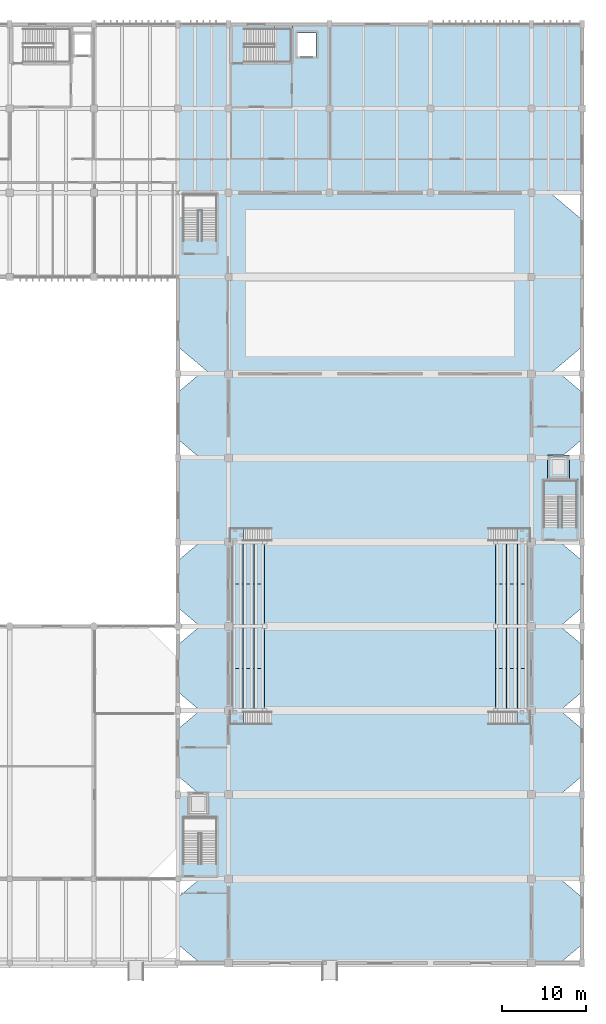
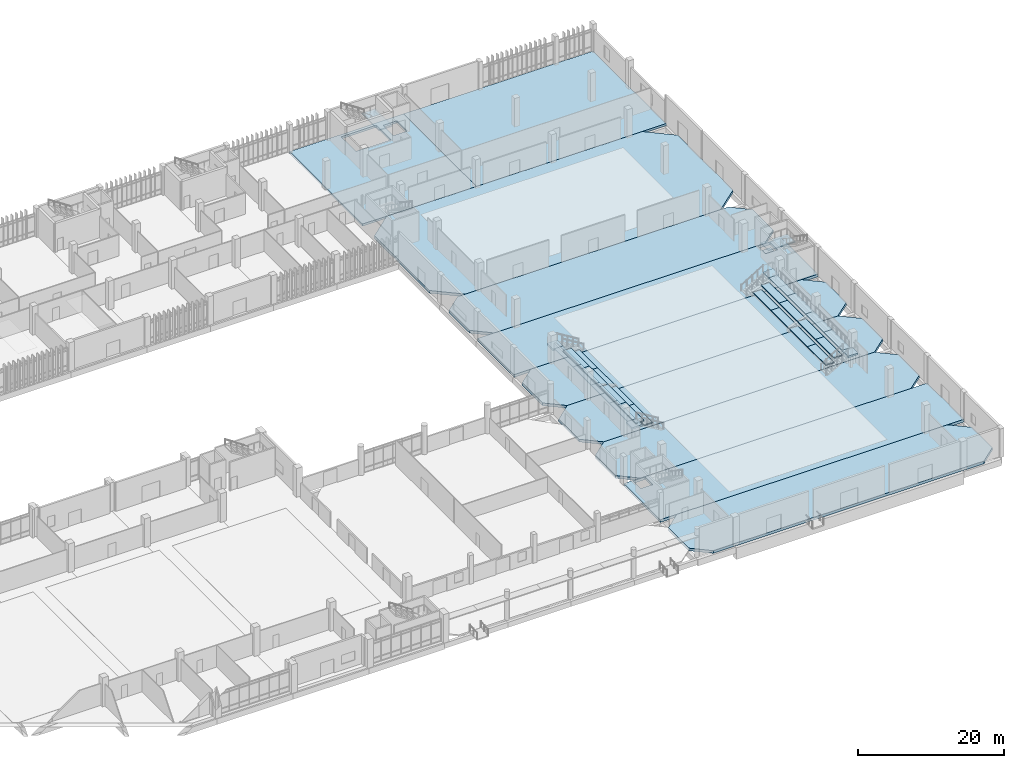
# One storey, part 67 of 87: 41 slabs, 6 elements without a shape of their own.
"""IFC4 building model written with IfcOpenShell, lengths in metres."""

import ifcopenshell
import ifcopenshell.guid

model = None  # the IFC model being written
_history = None  # IfcOwnerHistory: only IFC2X3 demands one
_inside = {}  # id of a spatial element -> (the spatial element, [elements in it])
_under = {}  # id of a project, library or spatial element -> (it, [spatial elements below it])
_declared = {}  # id of a project -> (the project, [libraries it declares])
_typed = {}  # id of a type object -> (the type object, [elements of that type])
_made_of = {}  # id of a material, layer set ... -> (it, [elements and type objects made of it])


def new_model(schema):
    """Start an empty IFC model of exactly this schema.

    Asked for "IFC4X3", IfcOpenShell would pick the latest addendum, in which some entities
    have other attributes; the version numbers below select the first issue.
    IFC2X3 requires an IfcOwnerHistory on every rooted entity: one is made here for all.
    """
    global model, _history
    if schema == "IFC4X3":
        model = ifcopenshell.file(schema_version=(4, 3, 0, 0))
    else:
        model = ifcopenshell.file(schema=schema)
    _inside.clear()
    _under.clear()
    _declared.clear()
    _typed.clear()
    _made_of.clear()
    _history = None
    if model.schema == "IFC2X3":
        org = make("IfcOrganization", Name="unknown")
        user = make(
            "IfcPersonAndOrganization",
            ThePerson=make("IfcPerson", FamilyName="unknown"),
            TheOrganization=org,
        )
        app = make(
            "IfcApplication",
            ApplicationDeveloper=org,
            Version="unknown",
            ApplicationFullName="unknown",
            ApplicationIdentifier="unknown",
        )
        _history = make(
            "IfcOwnerHistory",
            OwningUser=user,
            OwningApplication=app,
            ChangeAction="ADDED",
            CreationDate=0,
        )
    return model


def make(cls, **values):
    """One entity of the class cls with the attributes given. An attribute that is None is left unset."""
    return model.create_entity(
        cls, **{name: value for name, value in values.items() if value is not None}
    )


def rooted(cls, **values):
    """An entity with a GlobalId (a new one), such as an element, a storey or a relation."""
    return make(cls, GlobalId=ifcopenshell.guid.new(), OwnerHistory=_history, **values)


def si_unit(unit_type, name, prefix=None):
    """IfcSIUnit, for example si_unit("LENGTHUNIT", "METRE", prefix="MILLI")."""
    return make("IfcSIUnit", UnitType=unit_type, Prefix=prefix, Name=name)


def assignment(units):
    """IfcUnitAssignment: the units of a project."""
    return None if units is None else make("IfcUnitAssignment", Units=units)


def point(xyz):
    """IfcCartesianPoint."""
    return None if xyz is None else make("IfcCartesianPoint", Coordinates=xyz)


def direction(xyz):
    """IfcDirection."""
    return None if xyz is None else make("IfcDirection", DirectionRatios=xyz)


def frame(location, z_axis=None, x_axis=None):
    """IfcAxis2Placement3D, a coordinate frame: its origin and axes. An axis left out is left unset."""
    return make(
        "IfcAxis2Placement3D",
        Location=point(location),
        Axis=direction(z_axis),
        RefDirection=direction(x_axis),
    )


def origin():
    """The frame at (0, 0, 0) with its axes left unset."""
    return frame((0.0, 0.0, 0.0))


def place(relative_to, where):
    """IfcLocalPlacement: puts the frame where relative to a parent placement (None: the world)."""
    return make(
        "IfcLocalPlacement", PlacementRelTo=relative_to, RelativePlacement=where
    )


def context(
    kind, dimensions, precision=None, world=None, true_north=None, identifier=None
):
    """IfcGeometricRepresentationContext, for example the 3D "Model" context."""
    return make(
        "IfcGeometricRepresentationContext",
        ContextIdentifier=identifier,
        ContextType=kind,
        CoordinateSpaceDimension=dimensions,
        Precision=precision,
        WorldCoordinateSystem=world,
        TrueNorth=true_north,
    )


def subcontext(parent, identifier, kind, view, scale=None):
    """IfcGeometricRepresentationSubContext, for example "Body" below "Model"."""
    return make(
        "IfcGeometricRepresentationSubContext",
        ContextIdentifier=identifier,
        ContextType=kind,
        ParentContext=parent,
        TargetScale=scale,
        TargetView=view,
    )


def project(units=None, contexts=None):
    """IfcProject with its units and contexts."""
    return rooted(
        "IfcProject",
        Name="project",
        RepresentationContexts=contexts,
        UnitsInContext=assignment(units),
    )


def spatial(cls, under=None, at=None, **own):
    """A site, building, storey or space (cls), placed at a placement, below another one or the project."""
    s = rooted(cls, ObjectPlacement=at, **own)
    if under is not None:
        _under.setdefault(under.id(), (under, []))[1].append(s)
    return s


def polyline(points):
    """IfcPolyline through the points."""
    return make("IfcPolyline", Points=[point(p) for p in points])


def outline(outer, holes=None, kind="AREA"):
    """IfcArbitraryClosedProfileDef: a profile drawn as a closed curve; with holes, ...WithVoids."""
    if holes is None:
        return make("IfcArbitraryClosedProfileDef", ProfileType=kind, OuterCurve=outer)
    return make(
        "IfcArbitraryProfileDefWithVoids",
        ProfileType=kind,
        OuterCurve=outer,
        InnerCurves=holes,
    )


def extrude(swept, where, along, depth):
    """IfcExtrudedAreaSolid: the profile swept, set in the frame where, extruded along a direction by depth."""
    return make(
        "IfcExtrudedAreaSolid",
        SweptArea=swept,
        Position=where,
        ExtrudedDirection=direction(along),
        Depth=depth,
    )


def shape(context_of_items, identifier, shape_type, items):
    """IfcShapeRepresentation: the items that make up one representation, for example the "Body"."""
    return make(
        "IfcShapeRepresentation",
        ContextOfItems=context_of_items,
        RepresentationIdentifier=identifier,
        RepresentationType=shape_type,
        Items=items,
    )


def material(Name=None, Category=None):
    """IfcMaterial."""
    return make("IfcMaterial", Name=Name, Category=Category)


def layer(
    of_material, thickness, ventilated=None, Name=None, Category=None, Priority=None
):
    """IfcMaterialLayer: one layer of a wall or slab, of a material (None: an air gap)."""
    return make(
        "IfcMaterialLayer",
        Material=of_material,
        LayerThickness=thickness,
        IsVentilated=ventilated,
        Name=Name,
        Category=Category,
        Priority=Priority,
    )


def layer_set(layers, Name=None):
    """IfcMaterialLayerSet."""
    return make("IfcMaterialLayerSet", MaterialLayers=layers, LayerSetName=Name)


def made_of(thing, what):
    """Note that an element or type object is made of a material, layer set ...; save() writes the relation."""
    if what is not None:
        _made_of.setdefault(what.id(), (what, []))[1].append(thing)
    return thing


def type_object(cls, material=None, **own):
    """A type object (cls), such as IfcWallType, which elements share."""
    return made_of(rooted(cls, **own), material)


def element(
    cls,
    number,
    at=None,
    inside=None,
    cuts=None,
    type_object=None,
    material=None,
    context=None,
    identifier="Body",
    shape_type=None,
    held_by="IfcProductDefinitionShape",
    body=None,
    shapes=None,
    **own,
):
    """One element of the class cls, such as IfcWall. Its Tag is "e" and its number.

    at: its placement. inside: the storey or other place that contains it. cuts: it is an
    opening in that element (IfcRelVoidsElement). A single representation is given by context,
    identifier, shape_type and body (its items); several are given by shapes. held_by: the class
    of the entity that holds the representations. save() writes the other relations.
    """
    e = rooted(cls, Tag="e%d" % number, ObjectPlacement=at, **own)
    if body is not None:
        shapes = [shape(context, identifier, shape_type, body)]
    if shapes is not None:
        e.Representation = make(held_by, Representations=shapes)
    if inside is not None:
        _inside.setdefault(inside.id(), (inside, []))[1].append(e)
    if cuts is not None:
        rooted(
            "IfcRelVoidsElement", RelatingBuildingElement=cuts, RelatedOpeningElement=e
        )
    if type_object is not None:
        _typed.setdefault(type_object.id(), (type_object, []))[1].append(e)
    return made_of(e, material)


def aggregate(whole, parts):
    """IfcRelAggregates: a whole, such as a stair, and the parts it consists of."""
    return rooted("IfcRelAggregates", RelatingObject=whole, RelatedObjects=parts)


def save(model, path):
    """Write the relations noted so far, then the file.

    IfcRelAggregates (storeys below a building ...), IfcRelContainedInSpatialStructure (elements
    in a storey), IfcRelDefinesByType, IfcRelAssociatesMaterial and IfcRelDeclares: one each for
    every whole, place, type object, material and project.
    """
    for whole, parts in _under.values():
        aggregate(whole, parts)
    for where, things in _inside.values():
        rooted(
            "IfcRelContainedInSpatialStructure",
            RelatedElements=things,
            RelatingStructure=where,
        )
    for kind, things in _typed.values():
        rooted("IfcRelDefinesByType", RelatedObjects=things, RelatingType=kind)
    for what, things in _made_of.values():
        rooted("IfcRelAssociatesMaterial", RelatedObjects=things, RelatingMaterial=what)
    for by, libraries in _declared.values():
        rooted("IfcRelDeclares", RelatingContext=by, RelatedDefinitions=libraries)
    model.write(path)


model = new_model("IFC4")

# Units and contexts
model_context = context("Model", 3, precision=1e-05, world=origin(), true_north=direction((0.0, 1.0)))
body_context = subcontext(model_context, "Body", "Model", "MODEL_VIEW")
ifc_project = project(units=[si_unit("LENGTHUNIT", "METRE"), si_unit("AREAUNIT", "SQUARE_METRE"), si_unit("VOLUMEUNIT", "CUBIC_METRE"), si_unit("PLANEANGLEUNIT", "RADIAN"), si_unit("MASSUNIT", "GRAM", prefix="KILO")], contexts=[model_context])

# Site, building, storey
site_placement = place(None, origin())
site = spatial("IfcSite", under=ifc_project, at=site_placement, CompositionType="ELEMENT")
building_placement = place(site_placement, origin())
building = spatial("IfcBuilding", under=site, at=building_placement, Name="Mersad Railyard Sports Hall", CompositionType="ELEMENT")
storey_placement = place(building_placement, origin())
storey = spatial("IfcBuildingStorey", under=building, at=storey_placement, Name="L00", CompositionType="ELEMENT", Elevation=0.0)

# Slabs
ifc_material_1 = material(Name="Concrete C40/50", Category="concrete")
ifc_layer_1 = layer(ifc_material_1, 0.449951171875)
ifc_layer_set_1 = layer_set([ifc_layer_1], Name="Concrete C40/50")
slab_type_1 = type_object("IfcSlabType", Name="STR-SL-BS02", PredefinedType="BASESLAB", material=ifc_layer_set_1)
slab_1_placement = place(storey_placement, frame((0.0, 0.0, -0.449951171875)))
element("IfcSlab", 1, at=slab_1_placement, inside=storey, type_object=slab_type_1, Name="Slab BS02-0019", PredefinedType="BASESLAB", context=body_context, shape_type="SweptSolid", body=[
    extrude(outline(polyline([(133.60009765625, 3.5), (176.39990234375, 3.5), (179.0, 5.699951171875), (179.0, 11.300048828125), (176.39990234375, 13.5), (133.60009765625, 13.5), (131.0, 11.300048828125), (131.0, 5.699951171875), (133.60009765625, 3.5)])), origin(), (0.0, 0.0, 1.0), 0.449951171875),
])
slab_2_placement = place(storey_placement, frame((0.0, 0.0, -0.449951171875)))
element("IfcSlab", 2, at=slab_2_placement, inside=storey, type_object=slab_type_1, Name="Slab BS02-0020", PredefinedType="BASESLAB", context=body_context, shape_type="SweptSolid", body=[
    extrude(outline(polyline([(131.0, 13.5), (179.0, 13.5), (179.0, 23.5), (131.0, 23.5), (131.0, 13.5)]), holes=[polyline([(132.449951171875, 21.300048828125), (134.35009765625, 21.300048828125), (134.35009765625, 23.419921875), (132.449951171875, 23.419921875), (132.449951171875, 21.300048828125)])]), origin(), (0.0, 0.0, 1.0), 0.449951171875),
])
slab_3_placement = place(storey_placement, frame((0.0, 0.0, -0.449951171875)))
element("IfcSlab", 3, at=slab_3_placement, inside=storey, type_object=slab_type_1, Name="Slab BS02-0021", PredefinedType="BASESLAB", context=body_context, shape_type="SweptSolid", body=[
    extrude(outline(polyline([(133.60009765625, 23.5), (176.39990234375, 23.5), (179.0, 25.699951171875), (179.0, 31.300048828125), (176.39990234375, 33.5), (133.60009765625, 33.5), (131.0, 31.300048828125), (131.0, 25.699951171875), (133.60009765625, 23.5)])), origin(), (0.0, 0.0, 1.0), 0.449951171875),
])
slab_4_placement = place(storey_placement, frame((0.0, 0.0, -0.449951171875)))
element("IfcSlab", 4, at=slab_4_placement, inside=storey, type_object=slab_type_1, Name="Slab BS02-0022", PredefinedType="BASESLAB", context=body_context, shape_type="SweptSolid", body=[
    extrude(outline(polyline([(133.60009765625, 33.5), (176.39990234375, 33.5), (179.0, 35.699951171875), (179.0, 41.300048828125), (176.39990234375, 43.5), (133.60009765625, 43.5), (131.0, 41.300048828125), (131.0, 35.699951171875), (133.60009765625, 33.5)])), origin(), (0.0, 0.0, 1.0), 0.449951171875),
])
slab_5_placement = place(storey_placement, frame((0.0, 0.0, -0.449951171875)))
element("IfcSlab", 5, at=slab_5_placement, inside=storey, type_object=slab_type_1, Name="Slab BS02-0023", PredefinedType="BASESLAB", context=body_context, shape_type="SweptSolid", body=[
    extrude(outline(polyline([(133.60009765625, 43.5), (176.39990234375, 43.5), (179.0, 45.699951171875), (179.0, 51.300048828125), (176.39990234375, 53.5), (133.60009765625, 53.5), (131.0, 51.300048828125), (131.0, 45.699951171875), (133.60009765625, 43.5)])), origin(), (0.0, 0.0, 1.0), 0.449951171875),
])
slab_6_placement = place(storey_placement, frame((0.0, 0.0, -0.449951171875)))
element("IfcSlab", 6, at=slab_6_placement, inside=storey, type_object=slab_type_1, Name="Slab BS02-0024", PredefinedType="BASESLAB", context=body_context, shape_type="SweptSolid", body=[
    extrude(outline(polyline([(131.0, 53.5), (179.0, 53.5), (179.0, 63.5), (131.0, 63.5), (131.0, 53.5)]), holes=[polyline([(175.25, 61.300048828125), (177.14990234375, 61.300048828125), (177.14990234375, 63.419921875), (175.25, 63.419921875), (175.25, 61.300048828125)])]), origin(), (0.0, 0.0, 1.0), 0.449951171875),
])
slab_7_placement = place(storey_placement, frame((0.0, 0.0, -0.449951171875)))
element("IfcSlab", 7, at=slab_7_placement, inside=storey, type_object=slab_type_1, Name="Slab BS02-0025", PredefinedType="BASESLAB", context=body_context, shape_type="SweptSolid", body=[
    extrude(outline(polyline([(133.60009765625, 63.5), (176.39990234375, 63.5), (179.0, 65.699951171875), (179.0, 71.300048828125), (176.39990234375, 73.5), (133.60009765625, 73.5), (131.0, 71.300048828125), (131.0, 65.699951171875), (133.60009765625, 63.5)])), origin(), (0.0, 0.0, 1.0), 0.449951171875),
])
slab_8_placement = place(storey_placement, frame((0.0, 0.0, -0.449951171875)))
element("IfcSlab", 8, at=slab_8_placement, inside=storey, type_object=slab_type_1, Name="Slab BS02-0026", PredefinedType="BASESLAB", context=body_context, shape_type="SweptSolid", body=[
    extrude(outline(polyline([(134.800048828125, 73.5), (175.199951171875, 73.5), (179.0, 76.699951171875), (179.0, 91.800048828125), (175.199951171875, 95.0), (134.800048828125, 95.0), (131.0, 91.800048828125), (131.0, 76.699951171875), (134.800048828125, 73.5)])), origin(), (0.0, 0.0, 1.0), 0.449951171875),
])
slab_9_placement = place(storey_placement, frame((0.0, 0.0, -1.75)))
element("IfcSlab", 9, at=slab_9_placement, inside=storey, type_object=slab_type_1, Name="Lift PL-06 shaft pit base", PredefinedType="BASESLAB", context=body_context, shape_type="SweptSolid", body=[
    extrude(outline(polyline([(174.875, 60.949951171875), (177.52490234375, 60.949951171875), (177.52490234375, 63.85009765625), (174.875, 63.85009765625), (174.875, 60.949951171875)])), origin(), (0.0, 0.0, 1.0), 0.449951171875),
])
ifc_material_2 = material(Name="Concrete C50/60", Category="concrete")
ifc_layer_2 = layer(ifc_material_2, 0.35009765625)
ifc_layer_set_2 = layer_set([ifc_layer_2], Name="Concrete C50/60")
slab_type_2 = type_object("IfcSlabType", Name="STR-SL-FL05", PredefinedType="FLOOR", material=ifc_layer_set_2)
slab_10_placement = place(storey_placement, frame((0.0, 0.0, -0.35009765625)))
element("IfcSlab", 10, at=slab_10_placement, inside=storey, type_object=slab_type_2, Name="Slab SL05-0035", PredefinedType="FLOOR", context=body_context, shape_type="SweptSolid", body=[
    extrude(outline(polyline([(131.0, 95.0), (149.0, 95.0), (149.0, 115.0), (131.0, 115.0), (131.0, 95.0)]), holes=[polyline([(138.889892578125, 110.5), (144.449951171875, 110.5), (144.449951171875, 114.5), (138.889892578125, 114.5), (138.889892578125, 110.5)]), polyline([(145.199951171875, 111.199951171875), (147.39990234375, 111.199951171875), (147.39990234375, 114.0), (145.199951171875, 114.0), (145.199951171875, 111.199951171875)])]), origin(), (0.0, 0.0, 1.0), 0.35009765625),
])
slab_11_placement = place(storey_placement, frame((0.0, 0.0, -0.35009765625)))
element("IfcSlab", 11, at=slab_11_placement, inside=storey, type_object=slab_type_2, Name="Slab SL05-0036", PredefinedType="FLOOR", context=body_context, shape_type="SweptSolid", body=[
    extrude(outline(polyline([(149.0, 95.0), (179.0, 95.0), (179.0, 115.0), (149.0, 115.0), (149.0, 95.0)])), origin(), (0.0, 0.0, 1.0), 0.35009765625),
])

# Stair, slab
stair_type_1 = type_object("IfcStairType", Name="ARC-ST-ST10A", PredefinedType="HALF_TURN_STAIR", material=ifc_material_1)
stair_1_placement = place(storey_placement, origin())
stair_1 = element("IfcStair", 12, at=stair_1_placement, inside=storey, type_object=stair_type_1, Name="Show Court East Exit Stair L00-L01", PredefinedType="HALF_TURN_STAIR")
ifc_layer_3 = layer(ifc_material_1, 0.179931640625)
ifc_layer_set_3 = layer_set([ifc_layer_3], Name="Concrete C40/50")
slab_type_3 = type_object("IfcSlabType", Name="STR-SL-LD01", PredefinedType="LANDING", material=ifc_layer_set_3)
slab_12_placement = place(storey_placement, frame((0.0, 0.0, 2.219970703125)))
slab_12 = element("IfcSlab", 13, at=slab_12_placement, type_object=slab_type_3, Name="Show Court East Exit Stair L00-L01 Half Landing", PredefinedType="LANDING", context=body_context, shape_type="SweptSolid", body=[
    extrude(outline(polyline([(174.280029296875, 58.830078125), (178.52001953125, 58.830078125), (178.52001953125, 60.969970703125), (174.280029296875, 60.969970703125), (174.280029296875, 58.830078125)])), origin(), (0.0, 0.0, 1.0), 0.179931640625),
])
aggregate(stair_1, [slab_12])

stair_type_2 = type_object("IfcStairType", Name="ARC-ST-ST04B", PredefinedType="HALF_TURN_STAIR", material=ifc_material_1)
stair_2_placement = place(storey_placement, origin())
stair_2 = element("IfcStair", 14, at=stair_2_placement, inside=storey, type_object=stair_type_2, Name="Core C4 Exit Stair L00-L01", PredefinedType="HALF_TURN_STAIR")
ifc_material_3 = material(Name="Precast concrete C45/55", Category="concrete")
ifc_layer_4 = layer(ifc_material_3, 0.199951171875)
ifc_layer_set_4 = layer_set([ifc_layer_4], Name="Precast concrete C45/55")
slab_type_4 = type_object("IfcSlabType", Name="STR-SL-LD02", PredefinedType="LANDING", material=ifc_layer_set_4)
slab_13_placement = place(storey_placement, frame((0.0, 0.0, 2.219970703125)))
slab_13 = element("IfcSlab", 15, at=slab_13_placement, type_object=slab_type_4, Name="Core C4 Exit Stair L00-L01 Half Landing", PredefinedType="LANDING", context=body_context, shape_type="SweptSolid", body=[
    extrude(outline(polyline([(142.429931640625, 110.3798828125), (144.570068359375, 110.3798828125), (144.570068359375, 115.050048828125), (142.429931640625, 115.050048828125), (142.429931640625, 110.3798828125)])), origin(), (0.0, 0.0, 1.0), 0.179931640625),
])
aggregate(stair_2, [slab_13])

stair_type_3 = type_object("IfcStairType", Name="ARC-ST-STV1", PredefinedType="STRAIGHT_RUN_STAIR", material=ifc_material_3)
stair_3_placement = place(storey_placement, origin())
stair_3 = element("IfcStair", 16, at=stair_3_placement, inside=storey, type_object=stair_type_3, Name="Show Court Vomitory Stair West South", PredefinedType="STRAIGHT_RUN_STAIR")
slab_14_placement = place(storey_placement, frame((0.0, 0.0, 1.800048828125)))
slab_14 = element("IfcSlab", 17, at=slab_14_placement, type_object=slab_type_4, Name="Show Court Vomitory Stair West South Vomitory Platform", PredefinedType="LANDING", context=body_context, shape_type="SweptSolid", body=[
    extrude(outline(polyline([(137.139892578125, 31.85009765625), (138.75, 31.85009765625), (138.75, 33.5), (137.139892578125, 33.5), (137.139892578125, 31.85009765625)])), origin(), (0.0, 0.0, 1.0), 0.300048828125),
])
aggregate(stair_3, [slab_14])

stair_type_4 = type_object("IfcStairType", Name="ARC-ST-STV2", PredefinedType="STRAIGHT_RUN_STAIR", material=ifc_material_3)
stair_4_placement = place(storey_placement, origin())
stair_4 = element("IfcStair", 18, at=stair_4_placement, inside=storey, type_object=stair_type_4, Name="Show Court Vomitory Stair West North", PredefinedType="STRAIGHT_RUN_STAIR")
slab_15_placement = place(storey_placement, frame((0.0, 0.0, 1.800048828125)))
slab_15 = element("IfcSlab", 19, at=slab_15_placement, type_object=slab_type_4, Name="Show Court Vomitory Stair West North Vomitory Platform", PredefinedType="LANDING", context=body_context, shape_type="SweptSolid", body=[
    extrude(outline(polyline([(137.139892578125, 53.5), (138.75, 53.5), (138.75, 55.14990234375), (137.139892578125, 55.14990234375), (137.139892578125, 53.5)])), origin(), (0.0, 0.0, 1.0), 0.300048828125),
])
aggregate(stair_4, [slab_15])

stair_type_5 = type_object("IfcStairType", Name="ARC-ST-STV3", PredefinedType="STRAIGHT_RUN_STAIR", material=ifc_material_3)
stair_5_placement = place(storey_placement, origin())
stair_5 = element("IfcStair", 20, at=stair_5_placement, inside=storey, type_object=stair_type_5, Name="Show Court Vomitory Stair East South", PredefinedType="STRAIGHT_RUN_STAIR")
slab_16_placement = place(storey_placement, frame((0.0, 0.0, 1.800048828125)))
slab_16 = element("IfcSlab", 21, at=slab_16_placement, type_object=slab_type_4, Name="Show Court Vomitory Stair East South Vomitory Platform", PredefinedType="LANDING", context=body_context, shape_type="SweptSolid", body=[
    extrude(outline(polyline([(171.25, 31.85009765625), (172.860107421875, 31.85009765625), (172.860107421875, 33.5), (171.25, 33.5), (171.25, 31.85009765625)])), origin(), (0.0, 0.0, 1.0), 0.300048828125),
])
aggregate(stair_5, [slab_16])

stair_type_6 = type_object("IfcStairType", Name="ARC-ST-STV4", PredefinedType="STRAIGHT_RUN_STAIR", material=ifc_material_3)
stair_6_placement = place(storey_placement, origin())
stair_6 = element("IfcStair", 22, at=stair_6_placement, inside=storey, type_object=stair_type_6, Name="Show Court Vomitory Stair East North", PredefinedType="STRAIGHT_RUN_STAIR")
slab_17_placement = place(storey_placement, frame((0.0, 0.0, 1.800048828125)))
slab_17 = element("IfcSlab", 23, at=slab_17_placement, type_object=slab_type_4, Name="Show Court Vomitory Stair East North Vomitory Platform", PredefinedType="LANDING", context=body_context, shape_type="SweptSolid", body=[
    extrude(outline(polyline([(171.25, 53.5), (172.860107421875, 53.5), (172.860107421875, 55.14990234375), (171.25, 55.14990234375), (171.25, 53.5)])), origin(), (0.0, 0.0, 1.0), 0.300048828125),
])
aggregate(stair_6, [slab_17])

# Slabs
ifc_layer_5 = layer(ifc_material_3, 0.159912109375)
ifc_layer_set_5 = layer_set([ifc_layer_5], Name="Precast concrete C45/55")
slab_type_5 = type_object("IfcSlabType", Name="STR-SL-ST01", PredefinedType="USERDEFINED", material=ifc_layer_set_5)
slab_18_placement = place(storey_placement, frame((0.0, 0.0, 0.43994140625)))
element("IfcSlab", 24, at=slab_18_placement, inside=storey, type_object=slab_type_5, Name="Stand lower tier west step 1", ObjectType="SEATING TIER", PredefinedType="USERDEFINED", context=body_context, shape_type="SweptSolid", body=[
    extrude(outline(polyline([(140.0, 33.5), (141.300048828125, 33.5), (141.300048828125, 38.5), (140.0, 38.5), (140.0, 33.5)])), origin(), (0.0, 0.0, 1.0), 0.16015625),
])
slab_19_placement = place(storey_placement, frame((0.0, 0.0, 0.43994140625)))
element("IfcSlab", 25, at=slab_19_placement, inside=storey, type_object=slab_type_5, Name="Stand lower tier east step 1", ObjectType="SEATING TIER", PredefinedType="USERDEFINED", context=body_context, shape_type="SweptSolid", body=[
    extrude(outline(polyline([(168.699951171875, 33.5), (170.0, 33.5), (170.0, 38.5), (168.699951171875, 38.5), (168.699951171875, 33.5)])), origin(), (0.0, 0.0, 1.0), 0.16015625),
])
slab_20_placement = place(storey_placement, frame((0.0, 0.0, 1.18994140625)))
element("IfcSlab", 26, at=slab_20_placement, inside=storey, type_object=slab_type_5, Name="Stand lower tier west step 2", ObjectType="SEATING TIER", PredefinedType="USERDEFINED", context=body_context, shape_type="SweptSolid", body=[
    extrude(outline(polyline([(138.699951171875, 33.5), (140.0, 33.5), (140.0, 38.5), (138.699951171875, 38.5), (138.699951171875, 33.5)])), origin(), (0.0, 0.0, 1.0), 0.16015625),
])
slab_21_placement = place(storey_placement, frame((0.0, 0.0, 1.18994140625)))
element("IfcSlab", 27, at=slab_21_placement, inside=storey, type_object=slab_type_5, Name="Stand lower tier east step 2", ObjectType="SEATING TIER", PredefinedType="USERDEFINED", context=body_context, shape_type="SweptSolid", body=[
    extrude(outline(polyline([(170.0, 33.5), (171.300048828125, 33.5), (171.300048828125, 38.5), (170.0, 38.5), (170.0, 33.5)])), origin(), (0.0, 0.0, 1.0), 0.16015625),
])
slab_22_placement = place(storey_placement, frame((0.0, 0.0, 1.93994140625)))
element("IfcSlab", 28, at=slab_22_placement, inside=storey, type_object=slab_type_5, Name="Stand lower tier west step 3", ObjectType="SEATING TIER", PredefinedType="USERDEFINED", context=body_context, shape_type="SweptSolid", body=[
    extrude(outline(polyline([(137.39990234375, 33.5), (138.699951171875, 33.5), (138.699951171875, 38.5), (137.39990234375, 38.5), (137.39990234375, 33.5)])), origin(), (0.0, 0.0, 1.0), 0.16015625),
])
slab_23_placement = place(storey_placement, frame((0.0, 0.0, 1.93994140625)))
element("IfcSlab", 29, at=slab_23_placement, inside=storey, type_object=slab_type_5, Name="Stand lower tier east step 3", ObjectType="SEATING TIER", PredefinedType="USERDEFINED", context=body_context, shape_type="SweptSolid", body=[
    extrude(outline(polyline([(171.300048828125, 33.5), (172.60009765625, 33.5), (172.60009765625, 38.5), (171.300048828125, 38.5), (171.300048828125, 33.5)])), origin(), (0.0, 0.0, 1.0), 0.16015625),
])
slab_24_placement = place(storey_placement, frame((0.0, 0.0, 0.43994140625)))
element("IfcSlab", 30, at=slab_24_placement, inside=storey, type_object=slab_type_5, Name="Stand lower tier west step 7", ObjectType="SEATING TIER", PredefinedType="USERDEFINED", context=body_context, shape_type="SweptSolid", body=[
    extrude(outline(polyline([(140.0, 38.5), (141.300048828125, 38.5), (141.300048828125, 43.5), (140.0, 43.5), (140.0, 38.5)])), origin(), (0.0, 0.0, 1.0), 0.16015625),
])
slab_25_placement = place(storey_placement, frame((0.0, 0.0, 0.43994140625)))
element("IfcSlab", 31, at=slab_25_placement, inside=storey, type_object=slab_type_5, Name="Stand lower tier east step 7", ObjectType="SEATING TIER", PredefinedType="USERDEFINED", context=body_context, shape_type="SweptSolid", body=[
    extrude(outline(polyline([(168.699951171875, 38.5), (170.0, 38.5), (170.0, 43.5), (168.699951171875, 43.5), (168.699951171875, 38.5)])), origin(), (0.0, 0.0, 1.0), 0.16015625),
])
slab_26_placement = place(storey_placement, frame((0.0, 0.0, 1.18994140625)))
element("IfcSlab", 32, at=slab_26_placement, inside=storey, type_object=slab_type_5, Name="Stand lower tier west step 8", ObjectType="SEATING TIER", PredefinedType="USERDEFINED", context=body_context, shape_type="SweptSolid", body=[
    extrude(outline(polyline([(138.699951171875, 38.5), (140.0, 38.5), (140.0, 43.5), (138.699951171875, 43.5), (138.699951171875, 38.5)])), origin(), (0.0, 0.0, 1.0), 0.16015625),
])
slab_27_placement = place(storey_placement, frame((0.0, 0.0, 1.18994140625)))
element("IfcSlab", 33, at=slab_27_placement, inside=storey, type_object=slab_type_5, Name="Stand lower tier east step 8", ObjectType="SEATING TIER", PredefinedType="USERDEFINED", context=body_context, shape_type="SweptSolid", body=[
    extrude(outline(polyline([(170.0, 38.5), (171.300048828125, 38.5), (171.300048828125, 43.5), (170.0, 43.5), (170.0, 38.5)])), origin(), (0.0, 0.0, 1.0), 0.16015625),
])
slab_28_placement = place(storey_placement, frame((0.0, 0.0, 1.93994140625)))
element("IfcSlab", 34, at=slab_28_placement, inside=storey, type_object=slab_type_5, Name="Stand lower tier west step 9", ObjectType="SEATING TIER", PredefinedType="USERDEFINED", context=body_context, shape_type="SweptSolid", body=[
    extrude(outline(polyline([(137.39990234375, 38.5), (138.699951171875, 38.5), (138.699951171875, 43.5), (137.39990234375, 43.5), (137.39990234375, 38.5)])), origin(), (0.0, 0.0, 1.0), 0.16015625),
])
slab_29_placement = place(storey_placement, frame((0.0, 0.0, 1.93994140625)))
element("IfcSlab", 35, at=slab_29_placement, inside=storey, type_object=slab_type_5, Name="Stand lower tier east step 9", ObjectType="SEATING TIER", PredefinedType="USERDEFINED", context=body_context, shape_type="SweptSolid", body=[
    extrude(outline(polyline([(171.300048828125, 38.5), (172.60009765625, 38.5), (172.60009765625, 43.5), (171.300048828125, 43.5), (171.300048828125, 38.5)])), origin(), (0.0, 0.0, 1.0), 0.16015625),
])
slab_30_placement = place(storey_placement, frame((0.0, 0.0, 0.43994140625)))
element("IfcSlab", 36, at=slab_30_placement, inside=storey, type_object=slab_type_5, Name="Stand lower tier west step 13", ObjectType="SEATING TIER", PredefinedType="USERDEFINED", context=body_context, shape_type="SweptSolid", body=[
    extrude(outline(polyline([(140.0, 43.5), (141.300048828125, 43.5), (141.300048828125, 48.5), (140.0, 48.5), (140.0, 43.5)])), origin(), (0.0, 0.0, 1.0), 0.16015625),
])
slab_31_placement = place(storey_placement, frame((0.0, 0.0, 0.43994140625)))
element("IfcSlab", 37, at=slab_31_placement, inside=storey, type_object=slab_type_5, Name="Stand lower tier east step 13", ObjectType="SEATING TIER", PredefinedType="USERDEFINED", context=body_context, shape_type="SweptSolid", body=[
    extrude(outline(polyline([(168.699951171875, 43.5), (170.0, 43.5), (170.0, 48.5), (168.699951171875, 48.5), (168.699951171875, 43.5)])), origin(), (0.0, 0.0, 1.0), 0.16015625),
])
slab_32_placement = place(storey_placement, frame((0.0, 0.0, 1.18994140625)))
element("IfcSlab", 38, at=slab_32_placement, inside=storey, type_object=slab_type_5, Name="Stand lower tier west step 14", ObjectType="SEATING TIER", PredefinedType="USERDEFINED", context=body_context, shape_type="SweptSolid", body=[
    extrude(outline(polyline([(138.699951171875, 43.5), (140.0, 43.5), (140.0, 48.5), (138.699951171875, 48.5), (138.699951171875, 43.5)])), origin(), (0.0, 0.0, 1.0), 0.16015625),
])
slab_33_placement = place(storey_placement, frame((0.0, 0.0, 1.18994140625)))
element("IfcSlab", 39, at=slab_33_placement, inside=storey, type_object=slab_type_5, Name="Stand lower tier east step 14", ObjectType="SEATING TIER", PredefinedType="USERDEFINED", context=body_context, shape_type="SweptSolid", body=[
    extrude(outline(polyline([(170.0, 43.5), (171.300048828125, 43.5), (171.300048828125, 48.5), (170.0, 48.5), (170.0, 43.5)])), origin(), (0.0, 0.0, 1.0), 0.16015625),
])
slab_34_placement = place(storey_placement, frame((0.0, 0.0, 1.93994140625)))
element("IfcSlab", 40, at=slab_34_placement, inside=storey, type_object=slab_type_5, Name="Stand lower tier west step 15", ObjectType="SEATING TIER", PredefinedType="USERDEFINED", context=body_context, shape_type="SweptSolid", body=[
    extrude(outline(polyline([(137.39990234375, 43.5), (138.699951171875, 43.5), (138.699951171875, 48.5), (137.39990234375, 48.5), (137.39990234375, 43.5)])), origin(), (0.0, 0.0, 1.0), 0.16015625),
])
slab_35_placement = place(storey_placement, frame((0.0, 0.0, 1.93994140625)))
element("IfcSlab", 41, at=slab_35_placement, inside=storey, type_object=slab_type_5, Name="Stand lower tier east step 15", ObjectType="SEATING TIER", PredefinedType="USERDEFINED", context=body_context, shape_type="SweptSolid", body=[
    extrude(outline(polyline([(171.300048828125, 43.5), (172.60009765625, 43.5), (172.60009765625, 48.5), (171.300048828125, 48.5), (171.300048828125, 43.5)])), origin(), (0.0, 0.0, 1.0), 0.16015625),
])
slab_36_placement = place(storey_placement, frame((0.0, 0.0, 0.43994140625)))
element("IfcSlab", 42, at=slab_36_placement, inside=storey, type_object=slab_type_5, Name="Stand lower tier west step 19", ObjectType="SEATING TIER", PredefinedType="USERDEFINED", context=body_context, shape_type="SweptSolid", body=[
    extrude(outline(polyline([(140.0, 48.5), (141.300048828125, 48.5), (141.300048828125, 53.5), (140.0, 53.5), (140.0, 48.5)])), origin(), (0.0, 0.0, 1.0), 0.16015625),
])
slab_37_placement = place(storey_placement, frame((0.0, 0.0, 0.43994140625)))
element("IfcSlab", 43, at=slab_37_placement, inside=storey, type_object=slab_type_5, Name="Stand lower tier east step 19", ObjectType="SEATING TIER", PredefinedType="USERDEFINED", context=body_context, shape_type="SweptSolid", body=[
    extrude(outline(polyline([(168.699951171875, 48.5), (170.0, 48.5), (170.0, 53.5), (168.699951171875, 53.5), (168.699951171875, 48.5)])), origin(), (0.0, 0.0, 1.0), 0.16015625),
])
slab_38_placement = place(storey_placement, frame((0.0, 0.0, 1.18994140625)))
element("IfcSlab", 44, at=slab_38_placement, inside=storey, type_object=slab_type_5, Name="Stand lower tier west step 20", ObjectType="SEATING TIER", PredefinedType="USERDEFINED", context=body_context, shape_type="SweptSolid", body=[
    extrude(outline(polyline([(138.699951171875, 48.5), (140.0, 48.5), (140.0, 53.5), (138.699951171875, 53.5), (138.699951171875, 48.5)])), origin(), (0.0, 0.0, 1.0), 0.16015625),
])
slab_39_placement = place(storey_placement, frame((0.0, 0.0, 1.18994140625)))
element("IfcSlab", 45, at=slab_39_placement, inside=storey, type_object=slab_type_5, Name="Stand lower tier east step 20", ObjectType="SEATING TIER", PredefinedType="USERDEFINED", context=body_context, shape_type="SweptSolid", body=[
    extrude(outline(polyline([(170.0, 48.5), (171.300048828125, 48.5), (171.300048828125, 53.5), (170.0, 53.5), (170.0, 48.5)])), origin(), (0.0, 0.0, 1.0), 0.16015625),
])
slab_40_placement = place(storey_placement, frame((0.0, 0.0, 1.93994140625)))
element("IfcSlab", 46, at=slab_40_placement, inside=storey, type_object=slab_type_5, Name="Stand lower tier west step 21", ObjectType="SEATING TIER", PredefinedType="USERDEFINED", context=body_context, shape_type="SweptSolid", body=[
    extrude(outline(polyline([(137.39990234375, 48.5), (138.699951171875, 48.5), (138.699951171875, 53.5), (137.39990234375, 53.5), (137.39990234375, 48.5)])), origin(), (0.0, 0.0, 1.0), 0.16015625),
])
slab_41_placement = place(storey_placement, frame((0.0, 0.0, 1.93994140625)))
element("IfcSlab", 47, at=slab_41_placement, inside=storey, type_object=slab_type_5, Name="Stand lower tier east step 21", ObjectType="SEATING TIER", PredefinedType="USERDEFINED", context=body_context, shape_type="SweptSolid", body=[
    extrude(outline(polyline([(171.300048828125, 48.5), (172.60009765625, 48.5), (172.60009765625, 53.5), (171.300048828125, 53.5), (171.300048828125, 48.5)])), origin(), (0.0, 0.0, 1.0), 0.16015625),
])

save(model, "model.ifc")
